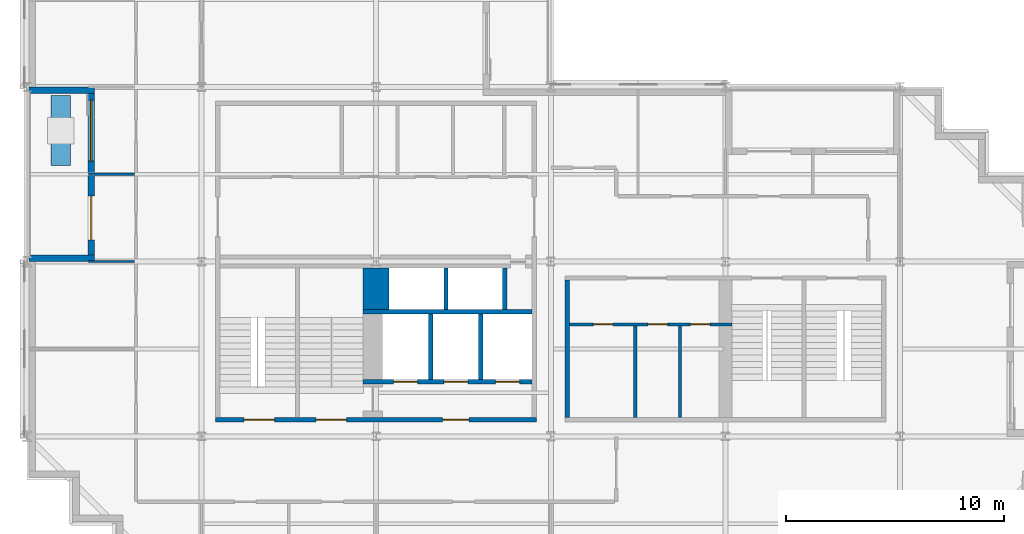
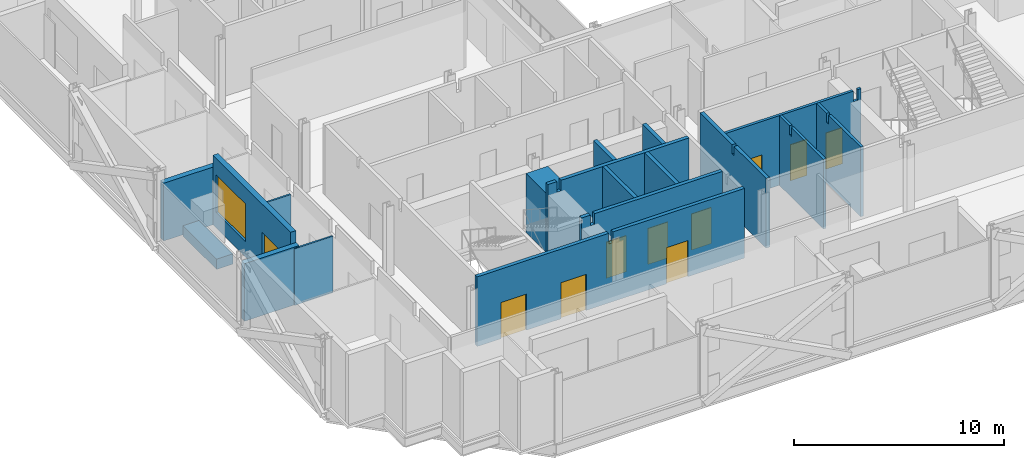
# One storey, part 5 of 12: 18 walls, 10 doors, 1 window, 11 openings.
"""IFC4 building model written with IfcOpenShell, lengths in metres."""

from ifc_helpers import new_model, si_unit, direction, frame, frame_2d, origin, place, context, subcontext, project, spatial, polyline, rectangle, outline, extrude, material, layer, layer_set, type_object, element, fill, save


model = new_model("IFC4")

# Units and contexts
model_context = context("Model", 3, precision=1e-05, world=origin(), true_north=direction((0.0, 1.0)))
body_context = subcontext(model_context, "Body", "Model", "MODEL_VIEW")
ifc_project = project(units=[si_unit("LENGTHUNIT", "METRE"), si_unit("AREAUNIT", "SQUARE_METRE"), si_unit("VOLUMEUNIT", "CUBIC_METRE"), si_unit("PLANEANGLEUNIT", "RADIAN"), si_unit("MASSUNIT", "GRAM", prefix="KILO")], contexts=[model_context])

# Site, building, storey
site_placement = place(None, origin())
site = spatial("IfcSite", under=ifc_project, at=site_placement, CompositionType="ELEMENT")
building_placement = place(site_placement, origin())
building = spatial("IfcBuilding", under=site, at=building_placement, Name="Immortelle Media Tower", CompositionType="ELEMENT")
storey_placement = place(building_placement, frame((0.0, 0.0, 136.800048828125)))
storey = spatial("IfcBuildingStorey", under=building, at=storey_placement, Name="L27", CompositionType="ELEMENT", Elevation=136.800048828125)

# Wall, openings, doors
ifc_material_1 = material(Name="Fire-rated gypsum board", Category="gypsum")
ifc_layer_1 = layer(ifc_material_1, 0.02490234375)
ifc_material_2 = material(Name="Steel ASTM A653 SS Gr 50 stud frame with mineral wool", Category="steel")
ifc_layer_2 = layer(ifc_material_2, 0.10009765625)
ifc_layer_3 = layer(ifc_material_1, 0.02490234375)
ifc_layer_set_1 = layer_set([ifc_layer_1, ifc_layer_2, ifc_layer_3], Name="Steel ASTM A653 SS Gr 50 stud frame with mineral wool")
wall_type_1 = type_object("IfcWallType", Name="Core partition 150", PredefinedType="PARTITIONING", material=ifc_layer_set_1)
wall_1_placement = place(storey_placement, frame((24.85009765625, 13.125, 0.0), z_axis=(0.0, 0.0, 1.0), x_axis=(1.0, 0.0, 0.0)))
wall_1 = element("IfcWall", 1, at=wall_1_placement, inside=storey, type_object=wall_type_1, Name="Core partition SE", PredefinedType="PARTITIONING", context=body_context, shape_type="SweptSolid", body=[
    extrude(outline(polyline([(0.0, 0.0), (7.449951171875, 0.0), (7.449951171875, 4.050048828125), (7.26953125, 4.050048828125), (7.2685546875, 3.431884765625), (7.031494140625, 3.431884765625), (7.030517578125, 4.050048828125), (0.0, 4.050048828125), (0.0, 0.0)])), frame((0.0, 0.074951171875, 0.0), z_axis=(0.0, -1.0, 0.0), x_axis=(1.0, 0.0, 0.0)), (0.0, 0.0, 1.0), 0.14990234375),
])
opening_1_placement = place(wall_1_placement, frame((2.0, 0.0, 0.0), z_axis=(0.0, 0.0, 1.0), x_axis=(-1.0, 0.0, 0.0)))
opening_1 = element("IfcOpeningElement", 2, at=opening_1_placement, cuts=wall_1, Name="Opening C2-K016", PredefinedType="OPENING", context=body_context, shape_type="SweptSolid", body=[
    extrude(rectangle(XDim=0.89990234375, YDim=2.10009765625, at=frame_2d((0.449951171875, 1.050048828125))), frame((0.0, 0.0849609375, 0.0), z_axis=(0.0, -1.0, 0.0), x_axis=(1.0, 0.0, 0.0)), (0.0, 0.0, 1.0), 0.169921875),
])
opening_2_placement = place(wall_1_placement, frame((4.5, 0.0, 0.0), z_axis=(0.0, 0.0, 1.0), x_axis=(-1.0, 0.0, 0.0)))
opening_2 = element("IfcOpeningElement", 3, at=opening_2_placement, cuts=wall_1, Name="Opening C2-K018", PredefinedType="OPENING", context=body_context, shape_type="SweptSolid", body=[
    extrude(rectangle(XDim=0.89990234375, YDim=2.10009765625, at=frame_2d((0.449951171875, 1.050048828125))), frame((0.0, 0.0849609375, 0.0), z_axis=(0.0, -1.0, 0.0), x_axis=(1.0, 0.0, 0.0)), (0.0, 0.0, 1.0), 0.169921875),
])
opening_3_placement = place(wall_1_placement, frame((6.449951171875, 0.0, 0.0), z_axis=(0.0, 0.0, 1.0), x_axis=(-1.0, 0.0, 0.0)))
opening_3 = element("IfcOpeningElement", 4, at=opening_3_placement, cuts=wall_1, Name="Opening C2-K019", PredefinedType="OPENING", context=body_context, shape_type="SweptSolid", body=[
    extrude(rectangle(XDim=0.89990234375, YDim=2.10009765625, at=frame_2d((0.449951171875, 1.050048828125))), frame((0.0, 0.0849609375, 0.0), z_axis=(0.0, -1.0, 0.0), x_axis=(1.0, 0.0, 0.0)), (0.0, 0.0, 1.0), 0.169921875),
])
ifc_material_3 = material(Name="Timber", Category="wood")
door_type_1 = type_object("IfcDoorType", Name="Room door 900 x 2100", OperationType="NOTDEFINED", PredefinedType="NOTDEFINED", material=ifc_material_3)
door_1_placement = place(opening_1_placement, origin())
door_1 = element("IfcDoor", 5, at=door_1_placement, inside=storey, type_object=door_type_1, Name="Room C2-K016", OperationType="SINGLE_SWING_LEFT", OverallHeight=2.10009765625, OverallWidth=0.89990234375, PredefinedType="NOTDEFINED", context=body_context, shape_type="SweptSolid", body=[
    extrude(rectangle(XDim=0.89990234375, YDim=2.10009765625, at=frame_2d((0.449951171875, 1.050048828125))), frame((0.0, 0.02490234375, 0.0), z_axis=(0.0, -1.0, 0.0), x_axis=(1.0, 0.0, 0.0)), (0.0, 0.0, 1.0), 0.050048828125),
])
fill(opening_1, door_1)
door_2_placement = place(opening_2_placement, origin())
door_2 = element("IfcDoor", 6, at=door_2_placement, inside=storey, type_object=door_type_1, Name="Room C2-K018", OperationType="SINGLE_SWING_RIGHT", OverallHeight=2.10009765625, OverallWidth=0.89990234375, PredefinedType="NOTDEFINED", context=body_context, shape_type="SweptSolid", body=[
    extrude(rectangle(XDim=0.89990234375, YDim=2.10009765625, at=frame_2d((0.449951171875, 1.050048828125))), frame((0.0, 0.02490234375, 0.0), z_axis=(0.0, -1.0, 0.0), x_axis=(1.0, 0.0, 0.0)), (0.0, 0.0, 1.0), 0.050048828125),
])
fill(opening_2, door_2)
ifc_material_4 = material(Name="Galvanised steel door leaf and frame ASTM A653", Category="steel")
door_type_2 = type_object("IfcDoorType", Name="Service door 900 x 2100", OperationType="NOTDEFINED", PredefinedType="NOTDEFINED", material=ifc_material_4)
door_3_placement = place(opening_3_placement, origin())
door_3 = element("IfcDoor", 7, at=door_3_placement, inside=storey, type_object=door_type_2, Name="Service C2-K019", OperationType="SINGLE_SWING_LEFT", OverallHeight=2.10009765625, OverallWidth=0.89990234375, PredefinedType="NOTDEFINED", context=body_context, shape_type="SweptSolid", body=[
    extrude(rectangle(XDim=0.89990234375, YDim=2.10009765625, at=frame_2d((0.449951171875, 1.050048828125))), frame((0.0, 0.02490234375, 0.0), z_axis=(0.0, -1.0, 0.0), x_axis=(1.0, 0.0, 0.0)), (0.0, 0.0, 1.0), 0.050048828125),
])
fill(opening_3, door_3)

# Walls
for number, where, z_axis, x_axis, name in (
    (8, (27.875, 8.85009765625, 0.0), (0.0, 0.0, 1.0), (0.0, 1.0, 0.0), "Core partition SE"),
    (9, (29.925048828125, 8.85009765625, 0.0), (0.0, 0.0, 1.0), (0.0, 1.0, 0.0), "Core partition SE"),
):
    element("IfcWall", number, at=place(storey_placement, frame(where, z_axis=z_axis, x_axis=x_axis)), inside=storey, type_object=wall_type_1, Name=name, PredefinedType="PARTITIONING", context=body_context, shape_type="SweptSolid", body=[
        extrude(outline(polyline([(0.0, 0.0), (4.199951171875, 0.0), (4.199951171875, 4.050048828125), (3.237548828125, 4.050048828125), (3.236572265625, 3.51806640625), (3.0634765625, 3.51806640625), (3.0625, 4.050048828125), (0.0, 4.050048828125), (0.0, 0.0)])), frame((0.0, 0.074951171875, 0.0), z_axis=(0.0, -1.0, 0.0), x_axis=(1.0, 0.0, 0.0)), (0.0, 0.0, 1.0), 0.14990234375),
    ])

# Wall, openings, doors
ifc_layer_4 = layer(ifc_material_1, 0.03759765625)
ifc_layer_5 = layer(ifc_material_2, 0.125)
ifc_layer_6 = layer(ifc_material_1, 0.03759765625)
ifc_layer_set_2 = layer_set([ifc_layer_4, ifc_layer_5, ifc_layer_6], Name="Steel ASTM A653 SS Gr 50 stud frame with mineral wool")
wall_type_2 = type_object("IfcWallType", Name="Core shaft wall 200", PredefinedType="PARTITIONING", material=ifc_layer_set_2)
wall_2_placement = place(storey_placement, frame((15.39990234375, 10.5, 0.0), z_axis=(0.0, 0.0, 1.0), x_axis=(1.0, 0.0, 0.0)))
wall_2 = element("IfcWall", 10, at=wall_2_placement, inside=storey, type_object=wall_type_2, Name="Core shaft wall SW", PredefinedType="PARTITIONING", context=body_context, shape_type="SweptSolid", body=[
    extrude(outline(polyline([(0.0, 0.0), (7.75, 0.0), (7.75, 4.050048828125), (0.719482421875, 4.050048828125), (0.718505859375, 3.431884765625), (0.4814453125, 3.431884765625), (0.48046875, 4.050048828125), (0.0, 4.050048828125), (0.0, 0.0)])), frame((0.0, 0.10009765625, 0.0), z_axis=(0.0, -1.0, 0.0), x_axis=(1.0, 0.0, 0.0)), (0.0, 0.0, 1.0), 0.199951171875),
])
opening_4_placement = place(wall_2_placement, frame((1.39990234375, 0.0, 0.0)))
opening_4 = element("IfcOpeningElement", 11, at=opening_4_placement, cuts=wall_2, Name="Opening LD", PredefinedType="OPENING", context=body_context, shape_type="SweptSolid", body=[
    extrude(rectangle(XDim=1.10009765625, YDim=2.10009765625, at=frame_2d((0.550048828125, 1.050048828125))), frame((0.0, 0.10986328125, 0.0), z_axis=(0.0, -1.0, 0.0), x_axis=(1.0, 0.0, 0.0)), (0.0, 0.0, 1.0), 0.219970703125),
])
opening_5_placement = place(wall_2_placement, frame((3.699951171875, 0.0, 0.0)))
opening_5 = element("IfcOpeningElement", 12, at=opening_5_placement, cuts=wall_2, Name="Opening LD", PredefinedType="OPENING", context=body_context, shape_type="SweptSolid", body=[
    extrude(rectangle(XDim=1.10009765625, YDim=2.10009765625, at=frame_2d((0.550048828125, 1.050048828125))), frame((0.0, 0.10986328125, 0.0), z_axis=(0.0, -1.0, 0.0), x_axis=(1.0, 0.0, 0.0)), (0.0, 0.0, 1.0), 0.219970703125),
])
opening_6_placement = place(wall_2_placement, frame((6.074951171875, 0.0, 0.0)))
opening_6 = element("IfcOpeningElement", 13, at=opening_6_placement, cuts=wall_2, Name="Opening LD", PredefinedType="OPENING", context=body_context, shape_type="SweptSolid", body=[
    extrude(rectangle(XDim=1.10009765625, YDim=2.10009765625, at=frame_2d((0.550048828125, 1.050048828125))), frame((0.0, 0.10986328125, 0.0), z_axis=(0.0, -1.0, 0.0), x_axis=(1.0, 0.0, 0.0)), (0.0, 0.0, 1.0), 0.219970703125),
])
ifc_material_5 = material(Name="Stainless steel AISI 304", Category="steel")
door_type_3 = type_object("IfcDoorType", Name="Landing door 1100 x 2100", OperationType="SLIDING_TO_LEFT", PredefinedType="NOTDEFINED", material=ifc_material_5)
door_4_placement = place(opening_4_placement, origin())
door_4 = element("IfcDoor", 14, at=door_4_placement, inside=storey, type_object=door_type_3, Name="Landing door FF1 L27", OperationType="SLIDING_TO_LEFT", OverallHeight=2.10009765625, OverallWidth=1.10009765625, PredefinedType="NOTDEFINED", context=body_context, shape_type="SweptSolid", body=[
    extrude(rectangle(XDim=1.10009765625, YDim=2.10009765625, at=frame_2d((0.550048828125, 1.050048828125))), frame((0.0, 0.02490234375, 0.0), z_axis=(0.0, -1.0, 0.0), x_axis=(1.0, 0.0, 0.0)), (0.0, 0.0, 1.0), 0.050048828125),
])
fill(opening_4, door_4)
door_5_placement = place(opening_5_placement, origin())
door_5 = element("IfcDoor", 15, at=door_5_placement, inside=storey, type_object=door_type_3, Name="Landing door FF2 L27", OperationType="SLIDING_TO_LEFT", OverallHeight=2.10009765625, OverallWidth=1.10009765625, PredefinedType="NOTDEFINED", context=body_context, shape_type="SweptSolid", body=[
    extrude(rectangle(XDim=1.10009765625, YDim=2.10009765625, at=frame_2d((0.550048828125, 1.050048828125))), frame((0.0, 0.02490234375, 0.0), z_axis=(0.0, -1.0, 0.0), x_axis=(1.0, 0.0, 0.0)), (0.0, 0.0, 1.0), 0.050048828125),
])
fill(opening_5, door_5)
door_6_placement = place(opening_6_placement, origin())
door_6 = element("IfcDoor", 16, at=door_6_placement, inside=storey, type_object=door_type_3, Name="Landing door FF3 L27", OperationType="SLIDING_TO_LEFT", OverallHeight=2.10009765625, OverallWidth=1.10009765625, PredefinedType="NOTDEFINED", context=body_context, shape_type="SweptSolid", body=[
    extrude(rectangle(XDim=1.10009765625, YDim=2.10009765625, at=frame_2d((0.550048828125, 1.050048828125))), frame((0.0, 0.02490234375, 0.0), z_axis=(0.0, -1.0, 0.0), x_axis=(1.0, 0.0, 0.0)), (0.0, 0.0, 1.0), 0.050048828125),
])
fill(opening_6, door_6)

# Walls
wall_3_placement = place(storey_placement, frame((15.39990234375, 13.699951171875, 0.0), z_axis=(0.0, 0.0, 1.0), x_axis=(1.0, 0.0, 0.0)))
element("IfcWall", 17, at=wall_3_placement, inside=storey, type_object=wall_type_2, Name="Core shaft wall SW", PredefinedType="PARTITIONING", context=body_context, shape_type="SweptSolid", body=[
    extrude(outline(polyline([(0.0, 0.0), (7.75, 0.0), (7.75, 4.050048828125), (0.719482421875, 4.050048828125), (0.718505859375, 3.431884765625), (0.4814453125, 3.431884765625), (0.48046875, 4.050048828125), (0.0, 4.050048828125), (0.0, 0.0)])), frame((0.0, 0.10009765625, 0.0), z_axis=(0.0, -1.0, 0.0), x_axis=(1.0, 0.0, 0.0)), (0.0, 0.0, 1.0), 0.199951171875),
])
wall_4_placement = place(storey_placement, frame((18.5, 10.60009765625, 0.0), z_axis=(0.0, 0.0, 1.0), x_axis=(0.0, 1.0, 0.0)))
element("IfcWall", 18, at=wall_4_placement, inside=storey, type_object=wall_type_2, Name="Core shaft wall SW", PredefinedType="PARTITIONING", context=body_context, shape_type="SweptSolid", body=[
    extrude(rectangle(XDim=3.0, YDim=0.199951171875, at=frame_2d((1.5, 0.0))), origin(), (0.0, 0.0, 1.0), 4.050048828125),
])
wall_5_placement = place(storey_placement, frame((19.199951171875, 13.800048828125, 0.0), z_axis=(0.0, 0.0, 1.0), x_axis=(0.0, 1.0, 0.0)))
element("IfcWall", 19, at=wall_5_placement, inside=storey, type_object=wall_type_2, Name="Core shaft wall SW", PredefinedType="PARTITIONING", context=body_context, shape_type="SweptSolid", body=[
    extrude(rectangle(XDim=1.89990234375, YDim=0.199951171875, at=frame_2d((0.949951171875, 0.0))), origin(), (0.0, 0.0, 1.0), 4.050048828125),
])
wall_6_placement = place(storey_placement, frame((20.800048828125, 10.60009765625, 0.0), z_axis=(0.0, 0.0, 1.0), x_axis=(0.0, 1.0, 0.0)))
element("IfcWall", 20, at=wall_6_placement, inside=storey, type_object=wall_type_2, Name="Core shaft wall SW", PredefinedType="PARTITIONING", context=body_context, shape_type="SweptSolid", body=[
    extrude(rectangle(XDim=3.0, YDim=0.199951171875, at=frame_2d((1.5, 0.0))), origin(), (0.0, 0.0, 1.0), 4.050048828125),
])
wall_7_placement = place(storey_placement, frame((21.89990234375, 13.800048828125, 0.0), z_axis=(0.0, 0.0, 1.0), x_axis=(0.0, 1.0, 0.0)))
element("IfcWall", 21, at=wall_7_placement, inside=storey, type_object=wall_type_2, Name="Core shaft wall SW", PredefinedType="PARTITIONING", context=body_context, shape_type="SweptSolid", body=[
    extrude(rectangle(XDim=1.89990234375, YDim=0.199951171875, at=frame_2d((0.949951171875, 0.0))), origin(), (0.0, 0.0, 1.0), 4.050048828125),
])
wall_8_placement = place(storey_placement, frame((24.75, 8.85009765625, 0.0), z_axis=(0.0, 0.0, 1.0), x_axis=(0.0, 1.0, 0.0)))
element("IfcWall", 22, at=wall_8_placement, inside=storey, type_object=wall_type_2, Name="Core shaft wall SE", PredefinedType="PARTITIONING", context=body_context, shape_type="SweptSolid", body=[
    extrude(outline(polyline([(0.0, 0.0), (6.2998046875, 0.0), (6.300048828125, 4.050048828125), (3.237548828125, 4.050048828125), (3.236572265625, 3.51806640625), (3.0634765625, 3.51806640625), (3.0625, 4.050048828125), (0.0, 4.050048828125), (0.0, 0.0)])), frame((0.0, 0.10009765625, 0.0), z_axis=(0.0, -1.0, 0.0), x_axis=(1.0, 0.0, 0.0)), (0.0, 0.0, 1.0), 0.199951171875),
])

# Wall, openings, door, window
ifc_material_6 = material(Name="Pale aluminium cladding panel", Category="aluminium")
ifc_layer_7 = layer(ifc_material_6, 0.030029296875)
ifc_layer_8 = layer(ifc_material_2, 0.257568359375)
ifc_material_7 = material(Name="Moisture-resistant gypsum board", Category="gypsum")
ifc_layer_9 = layer(ifc_material_7, 0.012451171875)
ifc_layer_set_3 = layer_set([ifc_layer_7, ifc_layer_8, ifc_layer_9], Name="Steel ASTM A653 SS Gr 50 stud frame with mineral wool")
wall_type_3 = type_object("IfcWallType", Name="Facade wall 300", PredefinedType="SOLIDWALL", material=ifc_layer_set_3)
wall_9_placement = place(storey_placement, frame((2.949951171875, 23.699951171875, 0.0), z_axis=(0.0, 0.0, 1.0), x_axis=(0.0, -1.0, 0.0)))
wall_9 = element("IfcWall", 23, at=wall_9_placement, inside=storey, type_object=wall_type_3, Name="Loggia wall L27 W35", PredefinedType="SOLIDWALL", context=body_context, shape_type="SweptSolid", body=[
    extrude(rectangle(XDim=7.39990234375, YDim=0.300048828125, at=frame_2d((3.699951171875, 0.0))), origin(), (0.0, 0.0, 1.0), 4.050048828125),
])
opening_7_placement = place(wall_9_placement, frame((0.300048828125, 0.0, 0.89990234375)))
opening_7 = element("IfcOpeningElement", 24, at=opening_7_placement, cuts=wall_9, Name="Opening W1", PredefinedType="OPENING", context=body_context, shape_type="SweptSolid", body=[
    extrude(rectangle(XDim=2.800048828125, YDim=2.199951171875, at=frame_2d((1.39990234375, 1.10009765625))), frame((0.0, 0.159912109375, 0.0), z_axis=(0.0, -1.0, 0.0), x_axis=(1.0, 0.0, 0.0)), (0.0, 0.0, 1.0), 0.320068359375),
])
opening_8_placement = place(wall_9_placement, frame((4.699951171875, 0.0, 0.0)))
opening_8 = element("IfcOpeningElement", 25, at=opening_8_placement, cuts=wall_9, Name="Opening C2-E008", PredefinedType="OPENING", context=body_context, shape_type="SweptSolid", body=[
    extrude(rectangle(XDim=2.0, YDim=2.39990234375, at=frame_2d((1.0, 1.199951171875))), frame((0.0, 0.159912109375, 0.0), z_axis=(0.0, -1.0, 0.0), x_axis=(1.0, 0.0, 0.0)), (0.0, 0.0, 1.0), 0.320068359375),
])
ifc_material_8 = material(Name="Aluminium frame, glazed leaves", Category="aluminium")
door_type_4 = type_object("IfcDoorType", Name="Loggia door 2000 x 2400", OperationType="DOUBLE_DOOR_SINGLE_SWING", PredefinedType="DOOR", material=ifc_material_8)
door_7_placement = place(opening_8_placement, origin())
door_7 = element("IfcDoor", 26, at=door_7_placement, inside=storey, type_object=door_type_4, Name="Door C2-E008", OperationType="DOUBLE_DOOR_SINGLE_SWING", OverallHeight=2.39990234375, OverallWidth=2.0, PredefinedType="DOOR", context=body_context, shape_type="SweptSolid", body=[
    extrude(rectangle(XDim=2.0, YDim=2.39990234375, at=frame_2d((1.0, 1.199951171875))), frame((0.0, 0.02490234375, 0.0), z_axis=(0.0, -1.0, 0.0), x_axis=(1.0, 0.0, 0.0)), (0.0, 0.0, 1.0), 0.050048828125),
])
fill(opening_8, door_7)
ifc_material_9 = material(Name="Aluminium frame", Category="aluminium")
window_type = type_object("IfcWindowType", Name="Window 2800 x 2200", PartitioningType="SINGLE_PANEL", PredefinedType="WINDOW", material=ifc_material_9)
window_placement = place(opening_7_placement, origin())
window = element("IfcWindow", 27, at=window_placement, inside=storey, type_object=window_type, Name="Window L27 L27-R35-B2", OverallHeight=2.199951171875, OverallWidth=2.800048828125, PartitioningType="SINGLE_PANEL", PredefinedType="WINDOW", context=body_context, shape_type="SweptSolid", body=[
    extrude(rectangle(XDim=2.800048828125, YDim=2.199951171875, at=frame_2d((1.39990234375, 1.10009765625))), frame((0.0, 0.030029296875, 0.0), z_axis=(0.0, -1.0, 0.0), x_axis=(1.0, 0.0, 0.0)), (0.0, 0.0, 1.0), 0.06005859375),
])
fill(opening_7, window)

# Walls
for number, where, z_axis, x_axis, name in (
    (28, (0.10009765625, 23.85009765625, 0.0), (0.0, 0.0, 1.0), (1.0, 0.0, 0.0), "Loggia cheek wall L27 W"),
    (29, (0.10009765625, 16.14990234375, 0.0), (0.0, 0.0, 1.0), (1.0, 0.0, 0.0), "Loggia cheek wall L27 W"),
):
    element("IfcWall", number, at=place(storey_placement, frame(where, z_axis=z_axis, x_axis=x_axis)), inside=storey, type_object=wall_type_3, Name=name, PredefinedType="SOLIDWALL", context=body_context, shape_type="SweptSolid", body=[
        extrude(rectangle(XDim=3.0, YDim=0.300048828125, at=frame_2d((1.5, 0.0))), origin(), (0.0, 0.0, 1.0), 3.35595703125),
    ])
ifc_material_10 = material(Name="Gypsum board", Category="gypsum")
ifc_layer_10 = layer(ifc_material_10, 0.012451171875)
ifc_layer_11 = layer(ifc_material_2, 0.074951171875)
ifc_layer_12 = layer(ifc_material_10, 0.012451171875)
ifc_layer_set_4 = layer_set([ifc_layer_10, ifc_layer_11, ifc_layer_12], Name="Steel ASTM A653 SS Gr 50 stud frame with mineral wool")
wall_type_4 = type_object("IfcWallType", Name="Partition 100", PredefinedType="PARTITIONING", material=ifc_layer_set_4)
for number, where, z_axis, x_axis, name in (
    (30, (2.830078125, 16.0, 0.0), (0.0, 0.0, 1.0), (1.0, 0.0, 0.0), "Partition L27-009"),
    (31, (2.830078125, 20.0, 0.0), (0.0, 0.0, 1.0), (1.0, 0.0, 0.0), "Partition L27-017"),
):
    element("IfcWall", number, at=place(storey_placement, frame(where, z_axis=z_axis, x_axis=x_axis)), inside=storey, type_object=wall_type_4, Name=name, PredefinedType="PARTITIONING", context=body_context, shape_type="SweptSolid", body=[
        extrude(rectangle(XDim=2.094970703125, YDim=0.10009765625, at=frame_2d((1.04736328125, 0.0))), origin(), (0.0, 0.0, 1.0), 3.287841796875),
    ])
ifc_layer_13 = layer(ifc_material_6, 0.0029296875)
ifc_material_11 = material(Name="Steel ASTM A572 Gr 50 planter shell", Category="steel")
ifc_layer_14 = layer(ifc_material_11, 0.011962890625)
ifc_material_12 = material(Name="Planting substrate", Category="soil")
ifc_layer_15 = layer(ifc_material_12, 0.873046875)
ifc_layer_16 = layer(ifc_material_11, 0.011962890625)
ifc_layer_set_5 = layer_set([ifc_layer_13, ifc_layer_14, ifc_layer_15, ifc_layer_16], Name="Steel ASTM A572 Gr 50 planter shell")
wall_type_5 = type_object("IfcWallType", Name="Planter wall 900", PredefinedType="SOLIDWALL", material=ifc_layer_set_5)
wall_10_placement = place(storey_placement, frame((1.550048828125, 23.60009765625, 0.0), z_axis=(0.0, 0.0, 1.0), x_axis=(0.0, -1.0, 0.0)))
element("IfcWall", 32, at=wall_10_placement, inside=storey, type_object=wall_type_5, Name="Planter L27 W2", PredefinedType="SOLIDWALL", context=body_context, shape_type="SweptSolid", body=[
    extrude(rectangle(XDim=3.2001953125, YDim=0.89990234375, at=frame_2d((1.60009765625, 0.0))), origin(), (0.0, 0.0, 1.0), 0.599853515625),
])
ifc_material_13 = material(Name="Concrete C60", Category="concrete")
ifc_layer_17 = layer(ifc_material_13, 1.199951171875)
ifc_layer_set_6 = layer_set([ifc_layer_17], Name="Concrete C60")
wall_type_6 = type_object("IfcWallType", Name="Stair shaft wall 1200", PredefinedType="PARTITIONING", material=ifc_layer_set_6)
wall_11_placement = place(storey_placement, frame((16.0, 13.800048828125, 0.0), z_axis=(0.0, 0.0, 1.0), x_axis=(0.0, 1.0, 0.0)))
element("IfcWall", 33, at=wall_11_placement, inside=storey, type_object=wall_type_6, Name="Stair shaft wall SW", PredefinedType="PARTITIONING", context=body_context, shape_type="SweptSolid", body=[
    extrude(rectangle(XDim=1.89990234375, YDim=1.199951171875, at=frame_2d((0.949951171875, 0.0))), origin(), (0.0, 0.0, 1.0), 3.431884765625),
])

# Wall, openings, doors
ifc_layer_18 = layer(ifc_material_13, 0.199951171875)
ifc_layer_set_7 = layer_set([ifc_layer_18], Name="Concrete C60")
wall_type_7 = type_object("IfcWallType", Name="Stair shaft wall 200", PredefinedType="PARTITIONING", material=ifc_layer_set_7)
wall_12_placement = place(storey_placement, frame((8.64990234375, 8.75, 0.0), z_axis=(0.0, 0.0, 1.0), x_axis=(1.0, 0.0, 0.0)))
wall_12 = element("IfcWall", 34, at=wall_12_placement, inside=storey, type_object=wall_type_7, Name="Stair shaft wall SW", PredefinedType="PARTITIONING", context=body_context, shape_type="SweptSolid", body=[
    extrude(outline(polyline([(0.0, 0.0), (14.7001953125, 0.0), (14.699951171875, 4.050048828125), (7.469482421875, 4.050048828125), (7.468505859375, 3.431884765625), (7.2314453125, 3.431884765625), (7.23046875, 4.050048828125), (0.0, 4.050048828125), (0.0, 0.0)])), frame((0.0, 0.10009765625, 0.0), z_axis=(0.0, -1.0, 0.0), x_axis=(1.0, 0.0, 0.0)), (0.0, 0.0, 1.0), 0.199951171875),
])
opening_9_placement = place(wall_12_placement, frame((1.300048828125, 0.0, 0.0)))
opening_9 = element("IfcOpeningElement", 35, at=opening_9_placement, cuts=wall_12, Name="Opening C2-K002", PredefinedType="OPENING", context=body_context, shape_type="SweptSolid", body=[
    extrude(rectangle(XDim=1.39990234375, YDim=2.10009765625, at=frame_2d((0.699951171875, 1.050048828125))), frame((0.0, 0.10986328125, 0.0), z_axis=(0.0, -1.0, 0.0), x_axis=(1.0, 0.0, 0.0)), (0.0, 0.0, 1.0), 0.219970703125),
])
opening_10_placement = place(wall_12_placement, frame((4.60009765625, 0.0, 0.0)))
opening_10 = element("IfcOpeningElement", 36, at=opening_10_placement, cuts=wall_12, Name="Opening C2-K004", PredefinedType="OPENING", context=body_context, shape_type="SweptSolid", body=[
    extrude(rectangle(XDim=1.39990234375, YDim=2.10009765625, at=frame_2d((0.699951171875, 1.050048828125))), frame((0.0, 0.10986328125, 0.0), z_axis=(0.0, -1.0, 0.0), x_axis=(1.0, 0.0, 0.0)), (0.0, 0.0, 1.0), 0.219970703125),
])
opening_11_placement = place(wall_12_placement, frame((10.39990234375, 0.0, 0.0)))
opening_11 = element("IfcOpeningElement", 37, at=opening_11_placement, cuts=wall_12, Name="Opening C2-K009", PredefinedType="OPENING", context=body_context, shape_type="SweptSolid", body=[
    extrude(rectangle(XDim=1.199951171875, YDim=2.10009765625, at=frame_2d((0.60009765625, 1.050048828125))), frame((0.0, 0.10986328125, 0.0), z_axis=(0.0, -1.0, 0.0), x_axis=(1.0, 0.0, 0.0)), (0.0, 0.0, 1.0), 0.219970703125),
])
door_type_5 = type_object("IfcDoorType", Name="Fire-fighting lobby door 1200 x 2100", OperationType="NOTDEFINED", PredefinedType="NOTDEFINED", material=ifc_material_4)
door_8_placement = place(opening_11_placement, origin())
door_8 = element("IfcDoor", 38, at=door_8_placement, inside=storey, type_object=door_type_5, Name="Fire-fighting lobby C2-K009", OperationType="SINGLE_SWING_LEFT", OverallHeight=2.10009765625, OverallWidth=1.199951171875, PredefinedType="NOTDEFINED", context=body_context, shape_type="SweptSolid", body=[
    extrude(rectangle(XDim=1.199951171875, YDim=2.10009765625, at=frame_2d((0.60009765625, 1.050048828125))), frame((0.0, 0.02490234375, 0.0), z_axis=(0.0, -1.0, 0.0), x_axis=(1.0, 0.0, 0.0)), (0.0, 0.0, 1.0), 0.050048828125),
])
fill(opening_11, door_8)
door_type_6 = type_object("IfcDoorType", Name="Stair door 1400 x 2100", OperationType="DOUBLE_DOOR_SINGLE_SWING", PredefinedType="NOTDEFINED", material=ifc_material_4)
door_9_placement = place(opening_9_placement, origin())
door_9 = element("IfcDoor", 39, at=door_9_placement, inside=storey, type_object=door_type_6, Name="Stair C2-K002", OperationType="DOUBLE_DOOR_SINGLE_SWING", OverallHeight=2.10009765625, OverallWidth=1.39990234375, PredefinedType="NOTDEFINED", context=body_context, shape_type="SweptSolid", body=[
    extrude(rectangle(XDim=1.39990234375, YDim=2.10009765625, at=frame_2d((0.699951171875, 1.050048828125))), frame((0.0, 0.02490234375, 0.0), z_axis=(0.0, -1.0, 0.0), x_axis=(1.0, 0.0, 0.0)), (0.0, 0.0, 1.0), 0.050048828125),
])
fill(opening_9, door_9)
door_10_placement = place(opening_10_placement, origin())
door_10 = element("IfcDoor", 40, at=door_10_placement, inside=storey, type_object=door_type_6, Name="Stair C2-K004", OperationType="DOUBLE_DOOR_SINGLE_SWING", OverallHeight=2.10009765625, OverallWidth=1.39990234375, PredefinedType="NOTDEFINED", context=body_context, shape_type="SweptSolid", body=[
    extrude(rectangle(XDim=1.39990234375, YDim=2.10009765625, at=frame_2d((0.699951171875, 1.050048828125))), frame((0.0, 0.02490234375, 0.0), z_axis=(0.0, -1.0, 0.0), x_axis=(1.0, 0.0, 0.0)), (0.0, 0.0, 1.0), 0.050048828125),
])
fill(opening_10, door_10)

save(model, "model.ifc")
